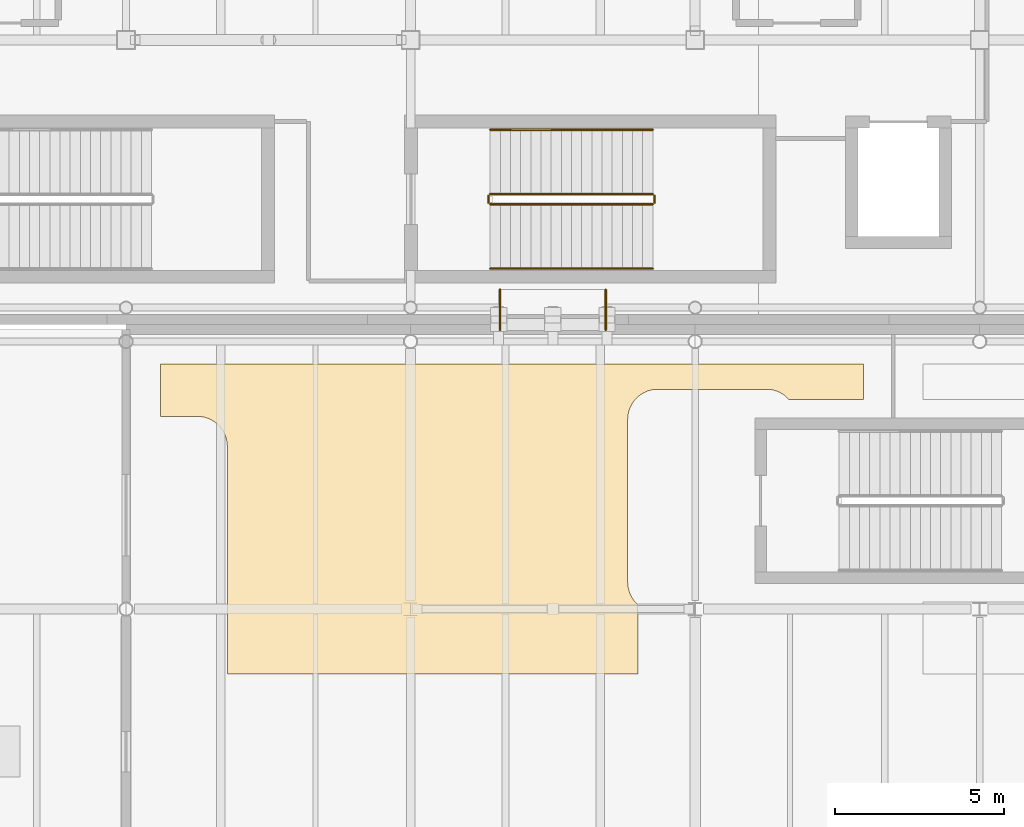
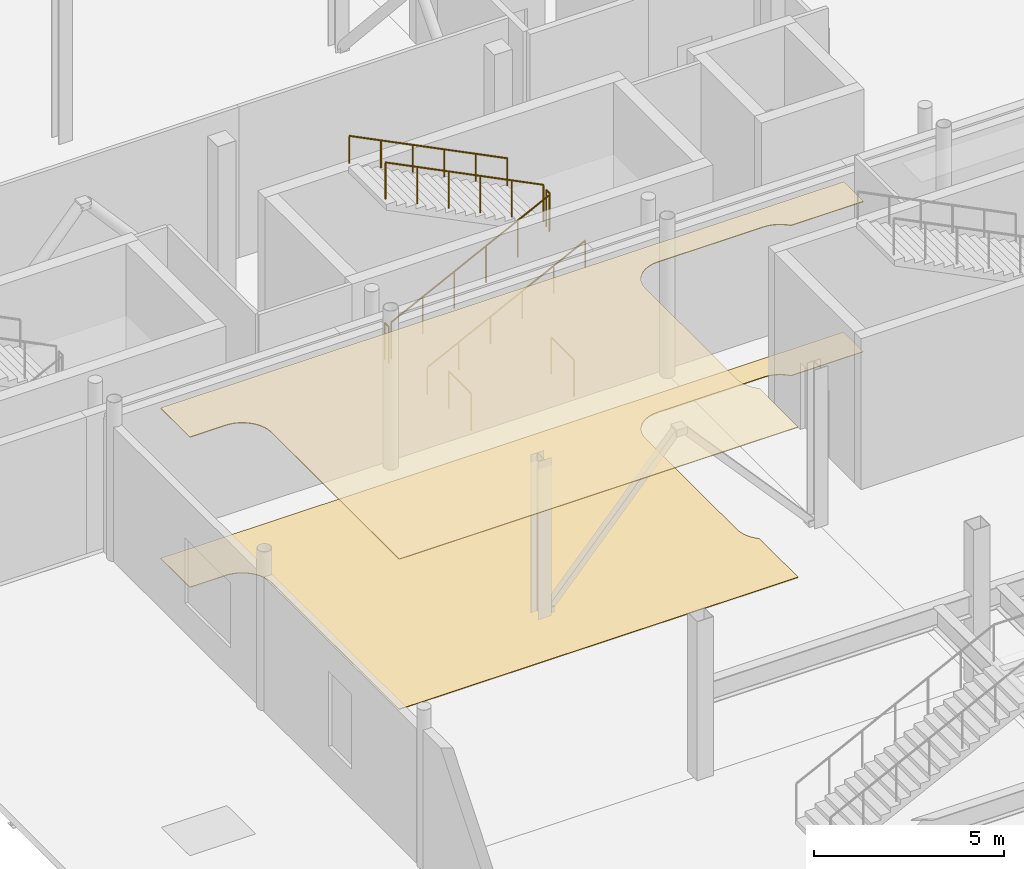
# One storey, part 94 of 103: 8 railings, 2 coverings.
"""IFC4 building model written with IfcOpenShell, lengths in metres."""

from ifc_helpers import new_model, si_unit, direction, frame, origin, origin_2d, place, context, subcontext, project, spatial, polyline, circle, outline, extrude, material, layer, layer_set, type_object, element, save


model = new_model("IFC4")

# Units and contexts
model_context = context("Model", 3, precision=1e-05, world=origin(), true_north=direction((0.0, 1.0)))
body_context = subcontext(model_context, "Body", "Model", "MODEL_VIEW")
ifc_project = project(units=[si_unit("LENGTHUNIT", "METRE"), si_unit("AREAUNIT", "SQUARE_METRE"), si_unit("VOLUMEUNIT", "CUBIC_METRE"), si_unit("PLANEANGLEUNIT", "RADIAN"), si_unit("MASSUNIT", "GRAM", prefix="KILO"), si_unit("THERMODYNAMICTEMPERATUREUNIT", "KELVIN")], contexts=[model_context])

# Site, building, storey
site_placement = place(None, origin())
site = spatial("IfcSite", under=ifc_project, at=site_placement, CompositionType="ELEMENT")
building_placement = place(site_placement, origin())
building = spatial("IfcBuilding", under=site, at=building_placement, Name="Lustrewick Department Store", CompositionType="ELEMENT")
storey_placement = place(building_placement, frame((0.0, 0.0, 16.5)))
storey = spatial("IfcBuildingStorey", under=building, at=storey_placement, Name="L04", CompositionType="ELEMENT", Elevation=16.5)

# Coverings
ifc_material_1 = material(Name="Perforated mineral-fibre acoustic ceiling board", Category="gypsum")
ifc_layer_1 = layer(ifc_material_1, 0.02490234375, Name="Perforated mineral-fibre acoustic ceiling board")
ifc_layer_set_1 = layer_set([ifc_layer_1], Name="Perforated mineral-fibre acoustic ceiling board")
covering_type_1 = type_object("IfcCoveringType", Name="COV-CEIL", PredefinedType="CEILING", material=ifc_layer_set_1)
covering_1_placement = place(storey_placement, frame((0.0, 0.0, 4.820068359375)))
element("IfcCovering", 1, at=covering_1_placement, inside=storey, type_object=covering_type_1, Name="L04 V3 Merchandise Display Alcove 1 Acoustic Ceiling", PredefinedType="CEILING", context=body_context, shape_type="SweptSolid", body=[
    extrude(outline(polyline([(118.6201171875, 49.22998046875), (118.6201171875, 47.68994140625), (119.702880859375, 47.68994140625), (119.78759765625, 47.685791015625), (119.87158203125, 47.67333984375), (119.875, 47.672607421875), (119.892578125, 47.6689453125), (119.895751953125, 47.668212890625), (119.978515625, 47.6455078125), (120.05859375, 47.614501953125), (120.063720703125, 47.6123046875), (120.130615234375, 47.578857421875), (120.134521484375, 47.57666015625), (120.19580078125, 47.5390625), (120.25390625, 47.49658203125), (120.258544921875, 47.492919921875), (120.329345703125, 47.429443359375), (120.392822265625, 47.358642578125), (120.396484375, 47.35400390625), (120.439208984375, 47.2958984375), (120.476806640625, 47.234375), (120.47900390625, 47.23046875), (120.51220703125, 47.163818359375), (120.513427734375, 47.1611328125), (120.5146484375, 47.158447265625), (120.54541015625, 47.07861328125), (120.568115234375, 46.99560546875), (120.56884765625, 46.992431640625), (120.572509765625, 46.97509765625), (120.5732421875, 46.9716796875), (120.585693359375, 46.8876953125), (120.590087890625, 46.802978515625), (120.590087890625, 40.090087890625), (132.7099609375, 40.090087890625), (132.7099609375, 42.13525390625), (132.670654296875, 42.170654296875), (132.607177734375, 42.241455078125), (132.603515625, 42.24609375), (132.560791015625, 42.30419921875), (132.523193359375, 42.365478515625), (132.52099609375, 42.369384765625), (132.48779296875, 42.436279296875), (132.486572265625, 42.438720703125), (132.4853515625, 42.44140625), (132.45458984375, 42.521484375), (132.431884765625, 42.604248046875), (132.43115234375, 42.607421875), (132.427490234375, 42.625), (132.4267578125, 42.62841796875), (132.414306640625, 42.71240234375), (132.409912109375, 42.797119140625), (132.409912109375, 47.60302734375), (132.414306640625, 47.687744140625), (132.4267578125, 47.771484375), (132.427490234375, 47.77490234375), (132.43115234375, 47.79248046875), (132.431884765625, 47.795654296875), (132.45458984375, 47.87841796875), (132.4853515625, 47.95849609375), (132.486572265625, 47.961181640625), (132.48779296875, 47.963623046875), (132.52099609375, 48.030517578125), (132.523193359375, 48.034423828125), (132.560791015625, 48.095947265625), (132.603515625, 48.154052734375), (132.607177734375, 48.15869140625), (132.670654296875, 48.2294921875), (132.741455078125, 48.29296875), (132.74609375, 48.29638671875), (132.80419921875, 48.339111328125), (132.865478515625, 48.376708984375), (132.869384765625, 48.37890625), (132.936279296875, 48.412109375), (132.94140625, 48.41455078125), (133.021484375, 48.445556640625), (133.104248046875, 48.46826171875), (133.107421875, 48.468994140625), (133.125, 48.47265625), (133.12841796875, 48.473388671875), (133.21240234375, 48.48583984375), (133.297119140625, 48.489990234375), (136.5029296875, 48.489990234375), (136.587646484375, 48.48583984375), (136.671630859375, 48.473388671875), (136.675048828125, 48.47265625), (136.6923828125, 48.468994140625), (136.69580078125, 48.46826171875), (136.778564453125, 48.445556640625), (136.8583984375, 48.41455078125), (136.86376953125, 48.412109375), (136.930419921875, 48.37890625), (136.934326171875, 48.376708984375), (136.995849609375, 48.339111328125), (137.053955078125, 48.29638671875), (137.05859375, 48.29296875), (137.12939453125, 48.2294921875), (137.164794921875, 48.18994140625), (139.36767578125, 48.18994140625), (139.36767578125, 49.22998046875), (118.6201171875, 49.22998046875)])), origin(), (0.0, 0.0, 1.0), 0.02490234375),
])
ifc_material_2 = material(Name="Polished terrazzo and porcelain floor finish", Category="masonry")
ifc_layer_2 = layer(ifc_material_2, 0.02001953125, Name="Polished terrazzo and porcelain floor finish")
ifc_layer_set_2 = layer_set([ifc_layer_2], Name="Polished terrazzo and porcelain floor finish")
covering_type_2 = type_object("IfcCoveringType", Name="COV-FLR", PredefinedType="FLOORING", material=ifc_layer_set_2)
covering_2_placement = place(storey_placement, origin())
element("IfcCovering", 2, at=covering_2_placement, inside=storey, type_object=covering_type_2, Name="L04 V3 Merchandise Display Alcove 1 Terrazzo Flooring", PredefinedType="FLOORING", context=body_context, shape_type="SweptSolid", body=[
    extrude(outline(polyline([(118.6201171875, 49.22998046875), (118.6201171875, 47.68994140625), (119.702880859375, 47.68994140625), (119.78759765625, 47.685791015625), (119.87158203125, 47.67333984375), (119.875, 47.672607421875), (119.892578125, 47.6689453125), (119.895751953125, 47.668212890625), (119.978515625, 47.6455078125), (120.05859375, 47.614501953125), (120.063720703125, 47.6123046875), (120.130615234375, 47.578857421875), (120.134521484375, 47.57666015625), (120.19580078125, 47.5390625), (120.25390625, 47.49658203125), (120.258544921875, 47.492919921875), (120.329345703125, 47.429443359375), (120.392822265625, 47.358642578125), (120.396484375, 47.35400390625), (120.439208984375, 47.2958984375), (120.476806640625, 47.234375), (120.47900390625, 47.23046875), (120.51220703125, 47.163818359375), (120.513427734375, 47.1611328125), (120.5146484375, 47.158447265625), (120.54541015625, 47.07861328125), (120.568115234375, 46.99560546875), (120.56884765625, 46.992431640625), (120.572509765625, 46.97509765625), (120.5732421875, 46.9716796875), (120.585693359375, 46.8876953125), (120.590087890625, 46.802978515625), (120.590087890625, 40.090087890625), (132.7099609375, 40.090087890625), (132.7099609375, 42.13525390625), (132.670654296875, 42.170654296875), (132.607177734375, 42.241455078125), (132.603515625, 42.24609375), (132.560791015625, 42.30419921875), (132.523193359375, 42.365478515625), (132.52099609375, 42.369384765625), (132.48779296875, 42.436279296875), (132.486572265625, 42.438720703125), (132.4853515625, 42.44140625), (132.45458984375, 42.521484375), (132.431884765625, 42.604248046875), (132.43115234375, 42.607421875), (132.427490234375, 42.625), (132.4267578125, 42.62841796875), (132.414306640625, 42.71240234375), (132.409912109375, 42.797119140625), (132.409912109375, 47.60302734375), (132.414306640625, 47.687744140625), (132.4267578125, 47.771484375), (132.427490234375, 47.77490234375), (132.43115234375, 47.79248046875), (132.431884765625, 47.795654296875), (132.45458984375, 47.87841796875), (132.4853515625, 47.95849609375), (132.486572265625, 47.961181640625), (132.48779296875, 47.963623046875), (132.52099609375, 48.030517578125), (132.523193359375, 48.034423828125), (132.560791015625, 48.095947265625), (132.603515625, 48.154052734375), (132.607177734375, 48.15869140625), (132.670654296875, 48.2294921875), (132.741455078125, 48.29296875), (132.74609375, 48.29638671875), (132.80419921875, 48.339111328125), (132.865478515625, 48.376708984375), (132.869384765625, 48.37890625), (132.936279296875, 48.412109375), (132.94140625, 48.41455078125), (133.021484375, 48.445556640625), (133.104248046875, 48.46826171875), (133.107421875, 48.468994140625), (133.125, 48.47265625), (133.12841796875, 48.473388671875), (133.21240234375, 48.48583984375), (133.297119140625, 48.489990234375), (136.5029296875, 48.489990234375), (136.587646484375, 48.48583984375), (136.671630859375, 48.473388671875), (136.675048828125, 48.47265625), (136.6923828125, 48.468994140625), (136.69580078125, 48.46826171875), (136.778564453125, 48.445556640625), (136.8583984375, 48.41455078125), (136.86376953125, 48.412109375), (136.930419921875, 48.37890625), (136.934326171875, 48.376708984375), (136.995849609375, 48.339111328125), (137.053955078125, 48.29638671875), (137.05859375, 48.29296875), (137.12939453125, 48.2294921875), (137.164794921875, 48.18994140625), (139.36767578125, 48.18994140625), (139.36767578125, 49.22998046875), (118.6201171875, 49.22998046875)])), origin(), (0.0, 0.0, 1.0), 0.02001953125),
])

# Railings
ifc_material_3 = material(Name="Laminated safety glass and bronze atrium balustrade", Category="glass")
railing_type_1 = type_object("IfcRailingType", Name="RL-BAL", PredefinedType="BALUSTRADE", material=ifc_material_3)
for number, where, name in (
    (3, (128.639892578125, 50.239990234375, 0.0), "L04 Skybridge SB34 West Guard 0044"),
    (4, (131.760009765625, 50.239990234375, 0.0), "L04 Skybridge SB34 East Guard 0045"),
):
    element("IfcRailing", number, at=place(storey_placement, frame(where)), inside=storey, type_object=railing_type_1, Name=name, PredefinedType="BALUSTRADE", context=body_context, shape_type="SweptSolid", body=[
        extrude(circle(Radius=0.02392578125, at=origin_2d()), frame((0.0, 0.0, 1.17578125), z_axis=(0.0, 1.0, 0.0), x_axis=(-1.0, 0.0, 0.0)), (0.0, 0.0, 1.0), 1.18994140625),
        extrude(circle(Radius=0.02099609375, at=origin_2d()), origin(), (0.0, 0.0, 1.0), 1.15185546875),
        extrude(circle(Radius=0.02099609375, at=origin_2d()), frame((0.0, 1.18994140625, 0.0)), (0.0, 0.0, 1.0), 1.15185546875),
    ])
ifc_material_4 = material(Name="Painted tubular steel stairwell guardrail", Category="steel")
railing_type_2 = type_object("IfcRailingType", Name="RL-STG", PredefinedType="GUARDRAIL", material=ifc_material_4)
railing_1_placement = place(storey_placement, frame((128.35009765625, 53.949951171875, 0.14990234375)))
element("IfcRailing", 5, at=railing_1_placement, inside=storey, type_object=railing_type_2, Name="L04 ST11 Stair Guard 1", PredefinedType="GUARDRAIL", context=body_context, shape_type="SweptSolid", body=[
    extrude(circle(Radius=0.02392578125, at=origin_2d()), frame((0.0, 0.0, 1.17578125), z_axis=(0.894408992721, 0.0, 0.447249990206), x_axis=(0.0, 1.0, 0.0)), (0.0, 0.0, 1.0), 5.366455078125),
    extrude(circle(Radius=0.02099609375, at=origin_2d()), origin(), (0.0, 0.0, 1.0), 1.15185546875),
    extrude(circle(Radius=0.02099609375, at=origin_2d()), frame((0.9599609375, 0.0, 0.47998046875)), (0.0, 0.0, 1.0), 1.15185546875),
    extrude(circle(Radius=0.02099609375, at=origin_2d()), frame((1.919921875, 0.0, 0.9599609375)), (0.0, 0.0, 1.0), 1.15185546875),
    extrude(circle(Radius=0.02099609375, at=origin_2d()), frame((2.8798828125, 0.0, 1.440185546875)), (0.0, 0.0, 1.0), 1.15185546875),
    extrude(circle(Radius=0.02099609375, at=origin_2d()), frame((3.83984375, 0.0, 1.920166015625)), (0.0, 0.0, 1.0), 1.15185546875),
    extrude(circle(Radius=0.02099609375, at=origin_2d()), frame((4.7998046875, 0.0, 2.400146484375)), (0.0, 0.0, 1.0), 1.15185546875),
])
railing_2_placement = place(storey_placement, frame((133.199951171875, 54.0, 2.550048828125)))
element("IfcRailing", 6, at=railing_2_placement, inside=storey, type_object=railing_type_2, Name="L04 ST11 Stair Guard 2", PredefinedType="GUARDRAIL", context=body_context, shape_type="SweptSolid", body=[
    extrude(circle(Radius=0.02392578125, at=origin_2d()), frame((0.0, 0.0, 1.17578125), z_axis=(0.0, 1.0, 0.0), x_axis=(-1.0, 0.0, 0.0)), (0.0, 0.0, 1.0), 0.199951171875),
    extrude(circle(Radius=0.02099609375, at=origin_2d()), origin(), (0.0, 0.0, 1.0), 1.15185546875),
    extrude(circle(Radius=0.02099609375, at=origin_2d()), frame((0.0, 0.199951171875, 0.0)), (0.0, 0.0, 1.0), 1.15185546875),
])
railing_3_placement = place(storey_placement, frame((133.14990234375, 54.25, 2.699951171875)))
element("IfcRailing", 7, at=railing_3_placement, inside=storey, type_object=railing_type_2, Name="L04 ST11 Stair Guard 3", PredefinedType="GUARDRAIL", context=body_context, shape_type="SweptSolid", body=[
    extrude(circle(Radius=0.02392578125, at=origin_2d()), frame((0.0, 0.0, 1.17578125), z_axis=(-0.894408992721, 0.0, 0.447249990206), x_axis=(0.0, -1.0, 0.0)), (0.0, 0.0, 1.0), 5.366455078125),
    extrude(circle(Radius=0.02099609375, at=origin_2d()), origin(), (0.0, 0.0, 1.0), 1.15185546875),
    extrude(circle(Radius=0.02099609375, at=origin_2d()), frame((-0.9599609375, 0.0, 0.47998046875)), (0.0, 0.0, 1.0), 1.15185546875),
    extrude(circle(Radius=0.02099609375, at=origin_2d()), frame((-1.919921875, 0.0, 0.9599609375)), (0.0, 0.0, 1.0), 1.15185546875),
    extrude(circle(Radius=0.02099609375, at=origin_2d()), frame((-2.8798828125, 0.0, 1.440185546875)), (0.0, 0.0, 1.0), 1.15185546875),
    extrude(circle(Radius=0.02099609375, at=origin_2d()), frame((-3.83984375, 0.0, 1.920166015625)), (0.0, 0.0, 1.0), 1.15185546875),
    extrude(circle(Radius=0.02099609375, at=origin_2d()), frame((-4.7998046875, 0.0, 2.400146484375)), (0.0, 0.0, 1.0), 1.15185546875),
])
railing_4_placement = place(storey_placement, frame((128.300048828125, 54.0, 0.0)))
element("IfcRailing", 8, at=railing_4_placement, inside=storey, type_object=railing_type_2, Name="L04 ST11 Stair Guard 4", PredefinedType="GUARDRAIL", context=body_context, shape_type="SweptSolid", body=[
    extrude(circle(Radius=0.02392578125, at=origin_2d()), frame((0.0, 0.0, 1.17578125), z_axis=(0.0, 1.0, 0.0), x_axis=(-1.0, 0.0, 0.0)), (0.0, 0.0, 1.0), 0.199951171875),
    extrude(circle(Radius=0.02099609375, at=origin_2d()), origin(), (0.0, 0.0, 1.0), 1.15185546875),
    extrude(circle(Radius=0.02099609375, at=origin_2d()), frame((0.0, 0.199951171875, 0.0)), (0.0, 0.0, 1.0), 1.15185546875),
])
ifc_material_5 = material(Name="Brushed stainless steel wall handrail", Category="steel")
railing_type_3 = type_object("IfcRailingType", Name="RL-STH", PredefinedType="HANDRAIL", material=ifc_material_5)
railing_5_placement = place(storey_placement, frame((128.35009765625, 52.050048828125, 0.14990234375)))
element("IfcRailing", 9, at=railing_5_placement, inside=storey, type_object=railing_type_3, Name="L04 ST11 Stair Handrail 1", PredefinedType="HANDRAIL", context=body_context, shape_type="SweptSolid", body=[
    extrude(circle(Radius=0.02392578125, at=origin_2d()), frame((0.0, 0.0, 0.8759765625), z_axis=(0.894408992721, 0.0, 0.447249990206), x_axis=(0.0, 1.0, 0.0)), (0.0, 0.0, 1.0), 5.366455078125),
    extrude(circle(Radius=0.02099609375, at=origin_2d()), origin(), (0.0, 0.0, 1.0), 0.851806640625),
    extrude(circle(Radius=0.02099609375, at=origin_2d()), frame((0.9599609375, 0.0, 0.47998046875)), (0.0, 0.0, 1.0), 0.851806640625),
    extrude(circle(Radius=0.02099609375, at=origin_2d()), frame((1.919921875, 0.0, 0.9599609375)), (0.0, 0.0, 1.0), 0.851806640625),
    extrude(circle(Radius=0.02099609375, at=origin_2d()), frame((2.8798828125, 0.0, 1.440185546875)), (0.0, 0.0, 1.0), 0.851806640625),
    extrude(circle(Radius=0.02099609375, at=origin_2d()), frame((3.83984375, 0.0, 1.920166015625)), (0.0, 0.0, 1.0), 0.851806640625),
    extrude(circle(Radius=0.02099609375, at=origin_2d()), frame((4.7998046875, 0.0, 2.400146484375)), (0.0, 0.0, 1.0), 0.851806640625),
])
railing_6_placement = place(storey_placement, frame((133.14990234375, 56.14990234375, 2.699951171875)))
element("IfcRailing", 10, at=railing_6_placement, inside=storey, type_object=railing_type_3, Name="L04 ST11 Stair Handrail 2", PredefinedType="HANDRAIL", context=body_context, shape_type="SweptSolid", body=[
    extrude(circle(Radius=0.02392578125, at=origin_2d()), frame((0.0, 0.0, 0.8759765625), z_axis=(-0.894408992721, 0.0, 0.447249990206), x_axis=(0.0, -1.0, 0.0)), (0.0, 0.0, 1.0), 5.366455078125),
    extrude(circle(Radius=0.02099609375, at=origin_2d()), origin(), (0.0, 0.0, 1.0), 0.851806640625),
    extrude(circle(Radius=0.02099609375, at=origin_2d()), frame((-0.9599609375, 0.0, 0.47998046875)), (0.0, 0.0, 1.0), 0.851806640625),
    extrude(circle(Radius=0.02099609375, at=origin_2d()), frame((-1.919921875, 0.0, 0.9599609375)), (0.0, 0.0, 1.0), 0.851806640625),
    extrude(circle(Radius=0.02099609375, at=origin_2d()), frame((-2.8798828125, 0.0, 1.440185546875)), (0.0, 0.0, 1.0), 0.851806640625),
    extrude(circle(Radius=0.02099609375, at=origin_2d()), frame((-3.83984375, 0.0, 1.920166015625)), (0.0, 0.0, 1.0), 0.851806640625),
    extrude(circle(Radius=0.02099609375, at=origin_2d()), frame((-4.7998046875, 0.0, 2.400146484375)), (0.0, 0.0, 1.0), 0.851806640625),
])

save(model, "model.ifc")
